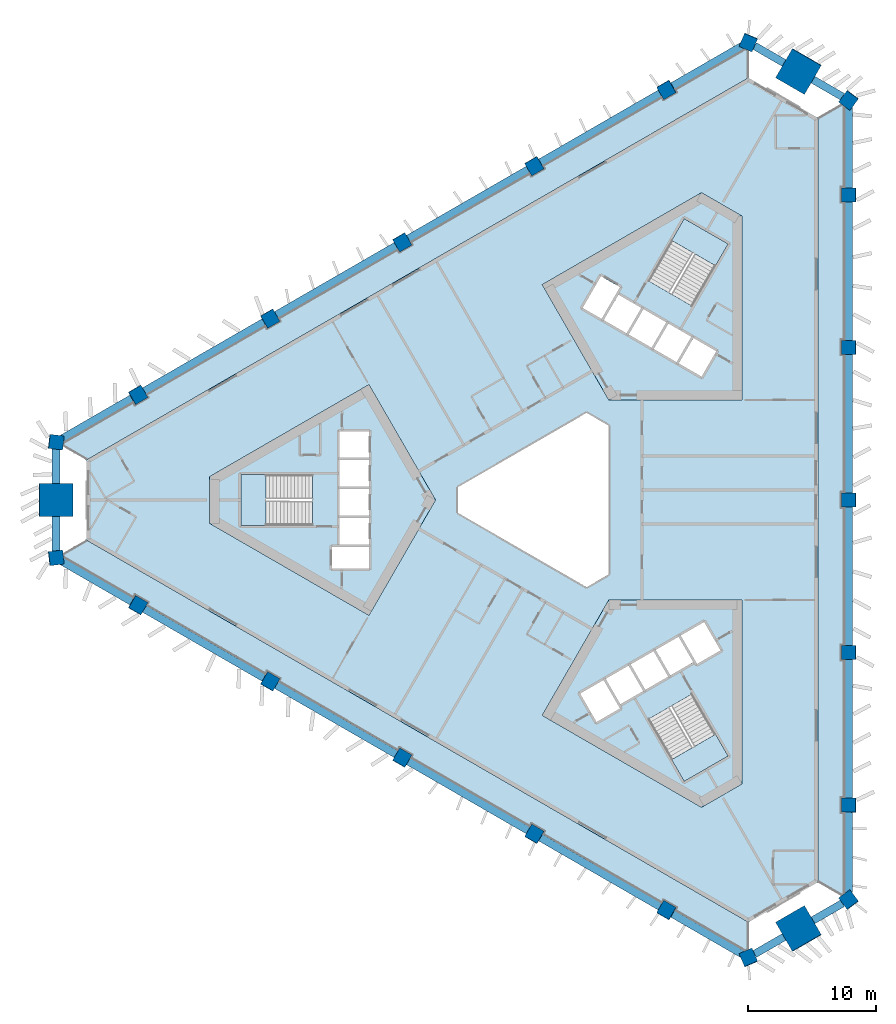
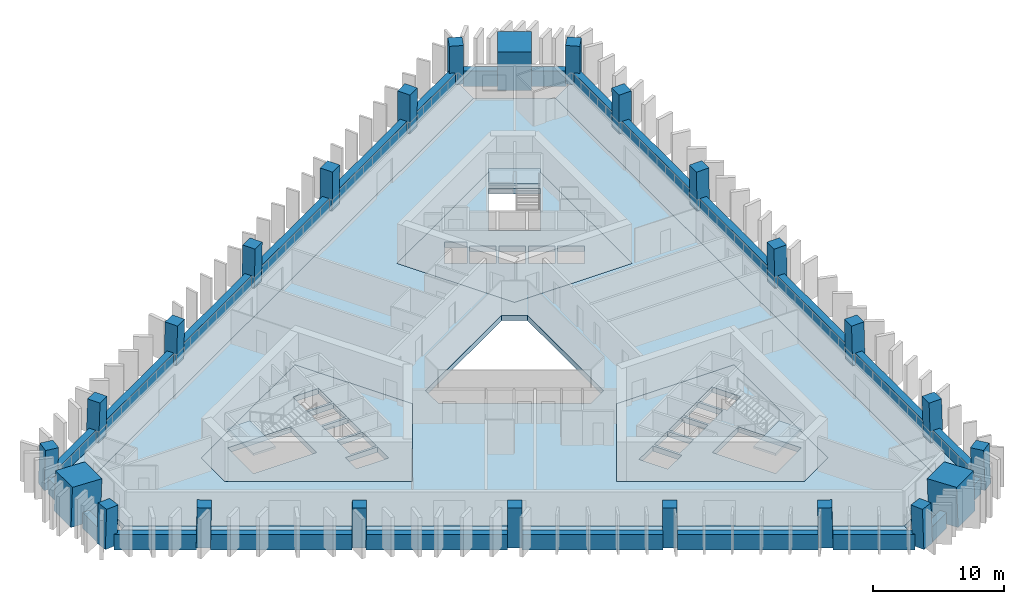
# One storey, part 1 of 10: 24 beams, 24 columns, 10 slabs, 3 elements without a shape of their own.
"""IFC4 building model written with IfcOpenShell, lengths in metres."""

from ifc_helpers import new_model, si_unit, direction, frame, origin, origin_2d, place, context, subcontext, project, spatial, polyline, rectangle, outline, extrude, material, layer, layer_set, material_profile, profile_set, type_object, element, aggregate, save


model = new_model("IFC4")

# Units and contexts
model_context = context("Model", 3, precision=1e-05, world=origin(), true_north=direction((0.0, 1.0)))
body_context = subcontext(model_context, "Body", "Model", "MODEL_VIEW")
ifc_project = project(units=[si_unit("LENGTHUNIT", "METRE"), si_unit("AREAUNIT", "SQUARE_METRE"), si_unit("VOLUMEUNIT", "CUBIC_METRE"), si_unit("PLANEANGLEUNIT", "RADIAN"), si_unit("MASSUNIT", "GRAM", prefix="KILO")], contexts=[model_context])

# Site, building, storey
site_placement = place(None, origin())
site = spatial("IfcSite", under=ifc_project, at=site_placement, CompositionType="ELEMENT")
building_placement = place(site_placement, origin())
building = spatial("IfcBuilding", under=site, at=building_placement, Name="Jabali Bay Hotel Tower and Convention Centre", CompositionType="ELEMENT")
storey_placement = place(building_placement, frame((0.0, 0.0, 72.10009765625)))
storey = spatial("IfcBuildingStorey", under=building, at=storey_placement, Name="L16", CompositionType="ELEMENT", Elevation=72.10009765625)

# Columns
ifc_material_1 = material(Name="Concrete C60", Category="concrete")
ifc_material_profile_1 = material_profile(ifc_material_1, rectangle(XDim=1.10009765625, YDim=1.10009765625, at=origin_2d()), Name="Frame column 1100")
ifc_profile_set_1 = profile_set([ifc_material_profile_1], Name="Concrete C60")
column_type_1 = type_object("IfcColumnType", Name="Frame column 1100", PredefinedType="COLUMN", material=ifc_profile_set_1)
column_1_placement = place(storey_placement, frame((83.995849609375, 111.98291015625, 0.0), z_axis=(-0.008376454378, -0.028163354484, 0.999568237028), x_axis=(0.865853490665, 0.499842344986, 0.021339232902)))
element("IfcColumn", 1, at=column_1_placement, inside=storey, type_object=column_type_1, Name="FC2 F1.1 L16", PredefinedType="COLUMN", context=body_context, shape_type="SweptSolid", body=[
    extrude(rectangle(XDim=1.10009765625, YDim=1.10009765625, at=origin_2d()), origin(), (0.0, 0.0, 1.0), 3.70166015625),
])
column_2_placement = place(storey_placement, frame((73.697998046875, 106.037353515625, 0.0), z_axis=(0.000857578916, -0.022824792675, 0.999739112668), x_axis=(0.866059992904, 0.499826241631, 0.010668498825)))
element("IfcColumn", 2, at=column_2_placement, inside=storey, type_object=column_type_1, Name="FC2 F1.2 L16", PredefinedType="COLUMN", context=body_context, shape_type="SweptSolid", body=[
    extrude(rectangle(XDim=1.10009765625, YDim=1.10009765625, at=origin_2d()), origin(), (0.0, 0.0, 1.0), 3.700927734375),
])
column_3_placement = place(storey_placement, frame((63.39990234375, 100.091796875, 0.0), z_axis=(0.010093620709, -0.017482414954, 0.999796221231), x_axis=(-0.499902890187, 0.86584616669, 0.020187025825)))
element("IfcColumn", 3, at=column_3_placement, inside=storey, type_object=column_type_1, Name="FC2 F1.3 L16", PredefinedType="COLUMN", context=body_context, shape_type="SweptSolid", body=[
    extrude(rectangle(XDim=1.10009765625, YDim=1.10009765625, at=origin_2d()), origin(), (0.0, 0.0, 1.0), 3.70068359375),
])
column_4_placement = place(storey_placement, frame((53.10205078125, 94.146240234375, 0.0), z_axis=(0.019328516974, -0.012138044789, 0.999739504221), x_axis=(-0.500208848309, 0.865669585777, 0.020181088508)))
element("IfcColumn", 4, at=column_4_placement, inside=storey, type_object=column_type_1, Name="FC2 F1.4 L16", PredefinedType="COLUMN", context=body_context, shape_type="SweptSolid", body=[
    extrude(rectangle(XDim=1.10009765625, YDim=1.10009765625, at=origin_2d()), origin(), (0.0, 0.0, 1.0), 3.700927734375),
])
for number, where, z_axis, x_axis, name in (
    (5, (42.803955078125, 88.20068359375, 0.0), (0.02855911485, -0.006793507689, 0.999569019734), (-0.500407643461, 0.865554709988, 0.020180049142), "FC2 F1.5 L16"),
    (6, (42.803955078125, 71.79931640625, 0.0), (0.02855911485, 0.006793507689, 0.999569019734), (-0.865318766308, 0.500768301983, 0.021319953197), "FC2 F2.1 L16"),
):
    element("IfcColumn", number, at=place(storey_placement, frame(where, z_axis=z_axis, x_axis=x_axis)), inside=storey, type_object=column_type_1, Name=name, PredefinedType="COLUMN", context=body_context, shape_type="SweptSolid", body=[
        extrude(rectangle(XDim=1.10009765625, YDim=1.10009765625, at=origin_2d()), origin(), (0.0, 0.0, 1.0), 3.70166015625),
    ])
column_5_placement = place(storey_placement, frame((53.10205078125, 65.853759765625, 0.0), z_axis=(0.019328516974, 0.012138044789, 0.999739504221), x_axis=(-0.865689041461, 0.500468616527, 0.010660551878)))
element("IfcColumn", 7, at=column_5_placement, inside=storey, type_object=column_type_1, Name="FC2 F2.2 L16", PredefinedType="COLUMN", context=body_context, shape_type="SweptSolid", body=[
    extrude(rectangle(XDim=1.10009765625, YDim=1.10009765625, at=origin_2d()), origin(), (0.0, 0.0, 1.0), 3.700927734375),
])
column_6_placement = place(storey_placement, frame((63.39990234375, 59.908203125, 0.0), z_axis=(0.010093620709, 0.017482414954, 0.999796221231), x_axis=(-0.866022643586, 0.500004780773, 1.3036e-08)))
element("IfcColumn", 8, at=column_6_placement, inside=storey, type_object=column_type_1, Name="FC2 F2.3 L16", PredefinedType="COLUMN", context=body_context, shape_type="SweptSolid", body=[
    extrude(rectangle(XDim=1.10009765625, YDim=1.10009765625, at=origin_2d()), origin(), (0.0, 0.0, 1.0), 3.70068359375),
])
column_7_placement = place(storey_placement, frame((73.697998046875, 53.962646484375, 0.0), z_axis=(0.000857578916, 0.022824792675, 0.999739112668), x_axis=(-0.499939349571, -0.865824899744, 0.020196280228)))
element("IfcColumn", 9, at=column_7_placement, inside=storey, type_object=column_type_1, Name="FC2 F2.4 L16", PredefinedType="COLUMN", context=body_context, shape_type="SweptSolid", body=[
    extrude(rectangle(XDim=1.10009765625, YDim=1.10009765625, at=origin_2d()), origin(), (0.0, 0.0, 1.0), 3.700927734375),
])
for number, where, z_axis, x_axis, name in (
    (10, (83.995849609375, 48.01708984375, 0.0), (-0.008376454378, 0.028163354484, 0.999568237028), (-0.500227515951, -0.8656583943, 0.02019843219), "FC2 F2.5 L16"),
    (11, (98.199951171875, 56.2177734375, 0.0), (-0.020182631348, 0.021369844956, 0.999567902205), (-0.001315292007, -0.999771248084, 0.021347634776), "FC2 F0.1 L16"),
):
    element("IfcColumn", number, at=place(storey_placement, frame(where, z_axis=z_axis, x_axis=x_axis)), inside=storey, type_object=column_type_1, Name=name, PredefinedType="COLUMN", context=body_context, shape_type="SweptSolid", body=[
        extrude(rectangle(XDim=1.10009765625, YDim=1.10009765625, at=origin_2d()), origin(), (0.0, 0.0, 1.0), 3.70166015625),
    ])
column_8_placement = place(storey_placement, frame((98.199951171875, 68.10888671875, 0.0), z_axis=(-0.020186088539, 0.010686752756, 0.999739123544), x_axis=(-0.001012906877, -0.999942577175, 0.010668475618)))
element("IfcColumn", 12, at=column_8_placement, inside=storey, type_object=column_type_1, Name="FC2 F0.2 L16", PredefinedType="COLUMN", context=body_context, shape_type="SweptSolid", body=[
    extrude(rectangle(XDim=1.10009765625, YDim=1.10009765625, at=origin_2d()), origin(), (0.0, 0.0, 1.0), 3.700927734375),
])
column_9_placement = place(storey_placement, frame((98.199951171875, 80.0, 0.0), z_axis=(-0.020187241331, 0.0, 0.99979621688), x_axis=(0.0, -1.0, 0.0)))
element("IfcColumn", 13, at=column_9_placement, inside=storey, type_object=column_type_1, Name="FC2 F0.3 L16", PredefinedType="COLUMN", context=body_context, shape_type="SweptSolid", body=[
    extrude(rectangle(XDim=1.10009765625, YDim=1.10009765625, at=origin_2d()), origin(), (0.0, 0.0, 1.0), 3.70068359375),
])
column_10_placement = place(storey_placement, frame((98.199951171875, 91.89111328125, 0.0), z_axis=(-0.020186088539, -0.010686752756, 0.999739123544), x_axis=(0.999795727061, 0.00079728784, 0.020195754082)))
element("IfcColumn", 14, at=column_10_placement, inside=storey, type_object=column_type_1, Name="FC2 F0.4 L16", PredefinedType="COLUMN", context=body_context, shape_type="SweptSolid", body=[
    extrude(rectangle(XDim=1.10009765625, YDim=1.10009765625, at=origin_2d()), origin(), (0.0, 0.0, 1.0), 3.700927734375),
])
column_11_placement = place(storey_placement, frame((98.199951171875, 103.7822265625, 0.0), z_axis=(-0.020182631348, -0.021369844956, 0.999567902205), x_axis=(0.999795444778, 0.000883872229, 0.020206122118)))
element("IfcColumn", 15, at=column_11_placement, inside=storey, type_object=column_type_1, Name="FC2 F0.5 L16", PredefinedType="COLUMN", context=body_context, shape_type="SweptSolid", body=[
    extrude(rectangle(XDim=1.10009765625, YDim=1.10009765625, at=origin_2d()), origin(), (0.0, 0.0, 1.0), 3.70166015625),
])
for number, where, z_axis, x_axis, name in (
    (16, (98.199951171875, 48.837158203125, 0.0), (-0.020178741915, 0.029015184452, 0.999375273581), (-0.802226825985, -0.597018283296, 0.001135376833), "FC2 V0 L16"),
    (17, (98.199951171875, 111.162841796875, 0.0), (-0.020178741915, -0.029015184452, 0.999375273581), (0.596678253371, 0.801702743217, 0.035323837186), "FC2 V1 L16"),
    (18, (90.3876953125, 115.67333984375, 0.0), (-0.015035141917, -0.031982648376, 0.99937533225), (0.918178173668, -0.396166067075, 0.001135208252), "FC2 V2 L16"),
    (19, (36.412109375, 84.510498046875, 0.0), (0.03521388716, -0.002967462401, 0.999375393092), (-0.992633800338, 0.115890481775, 0.035320456685), "FC2 V3 L16"),
    (20, (36.412109375, 75.489501953125, 0.0), (0.03521388716, 0.002967462401, 0.999375393092), (-0.115922907907, 0.993257564985, 0.001135350868), "FC2 V4 L16"),
    (21, (90.3876953125, 44.32666015625, 0.0), (-0.015035141917, 0.031982648376, 0.99937533225), (0.395882287943, -0.917621685392, 0.035322182716), "FC2 V5 L16"),
):
    element("IfcColumn", number, at=place(storey_placement, frame(where, z_axis=z_axis, x_axis=x_axis)), inside=storey, type_object=column_type_1, Name=name, PredefinedType="COLUMN", context=body_context, shape_type="SweptSolid", body=[
        extrude(rectangle(XDim=1.10009765625, YDim=1.10009765625, at=origin_2d()), origin(), (0.0, 0.0, 1.0), 3.7021484375),
    ])
ifc_material_2 = material(Name="Concrete C70", Category="concrete")
ifc_material_profile_2 = material_profile(ifc_material_2, rectangle(XDim=2.60009765625, YDim=2.60009765625, at=origin_2d()), Name="Mega column 2600")
ifc_profile_set_2 = profile_set([ifc_material_profile_2], Name="Concrete C70")
column_type_2 = type_object("IfcColumnType", Name="Mega column 2600", PredefinedType="COLUMN", material=ifc_profile_set_2)
for number, where, z_axis, x_axis, name in (
    (22, (94.2939453125, 113.41796875, 0.0), (-0.017607037296, -0.030466109479, 0.999380712447), (0.500064653071, 0.865272876704, 0.035187946645), "MC2 M1 L16"),
    (23, (36.412109375, 80.0, 0.0), (0.035214042205, 0.0, 0.999379793288), (0.0, 1.0, 0.0), "MC2 M0 L16"),
    (24, (94.2939453125, 46.58203125, 0.0), (-0.017607037296, 0.030466109479, 0.999380712447), (0.500061328599, -0.865274797998, 0.035187946645), "MC2 M2 L16"),
):
    element("IfcColumn", number, at=place(storey_placement, frame(where, z_axis=z_axis, x_axis=x_axis)), inside=storey, type_object=column_type_2, Name=name, PredefinedType="COLUMN", context=body_context, shape_type="SweptSolid", body=[
        extrude(rectangle(XDim=2.60009765625, YDim=2.60009765625, at=origin_2d()), origin(), (0.0, 0.0, 1.0), 3.7021484375),
    ])

# Beams
ifc_material_profile_3 = material_profile(ifc_material_1, rectangle(XDim=0.60009765625, YDim=1.449951171875, at=origin_2d()), Name="Spandrel 600x1450")
ifc_profile_set_3 = profile_set([ifc_material_profile_3], Name="Concrete C60")
beam_type = type_object("IfcBeamType", Name="Spandrel 600x1450", PredefinedType="SPANDREL", material=ifc_profile_set_3)
beam_1_placement = place(storey_placement, frame((93.161376953125, 114.056640625, 0.375), z_axis=(-0.866031171652, 0.499990009627, 0.0), x_axis=(-0.499990009627, -0.866031171652, 0.0)))
element("IfcBeam", 25, at=beam_1_placement, inside=storey, type_object=beam_type, Name="Spandrel M1-V2 L16", PredefinedType="SPANDREL", context=body_context, shape_type="SweptSolid", body=[
    extrude(rectangle(XDim=0.60009765625, YDim=1.449951171875, at=origin_2d()), origin(), (0.0, 0.0, 1.0), 2.6591796875),
])
beam_2_placement = place(storey_placement, frame((89.90576171875, 115.38623046875, 0.375), z_axis=(-0.866025625133, -0.499999616612, 0.0), x_axis=(0.499999616612, -0.866025625133, 0.0)))
element("IfcBeam", 26, at=beam_2_placement, inside=storey, type_object=beam_type, Name="Spandrel V2-F1.1 L16", PredefinedType="SPANDREL", context=body_context, shape_type="SweptSolid", body=[
    extrude(rectangle(XDim=0.60009765625, YDim=1.449951171875, at=origin_2d()), origin(), (0.0, 0.0, 1.0), 6.27783203125),
])
for number, where, z_axis, x_axis, name in (
    (27, (83.516357421875, 111.697265625, 0.375), (-0.866022764553, -0.500004571255, 0.0), (0.500004571255, -0.866022764553, 0.0), "Spandrel F1.1-F1.2 L16"),
    (28, (73.221923828125, 105.75390625, 0.375), (-0.866022764553, -0.500004571255, 0.0), (0.500004571255, -0.866022764553, 0.0), "Spandrel F1.2-F1.3 L16"),
    (29, (62.927490234375, 99.810302734375, 0.375), (-0.866028422699, -0.499994771051, 0.0), (0.499994771051, -0.866028422699, 0.0), "Spandrel F1.3-F1.4 L16"),
    (30, (52.633056640625, 93.86669921875, 0.375), (-0.866028422699, -0.499994771051, 0.0), (0.499994771051, -0.866028422699, 0.0), "Spandrel F1.4-F1.5 L16"),
):
    element("IfcBeam", number, at=place(storey_placement, frame(where, z_axis=z_axis, x_axis=x_axis)), inside=storey, type_object=beam_type, Name=name, PredefinedType="SPANDREL", context=body_context, shape_type="SweptSolid", body=[
        extrude(rectangle(XDim=0.60009765625, YDim=1.449951171875, at=origin_2d()), origin(), (0.0, 0.0, 1.0), 10.787109375),
    ])
beam_3_placement = place(storey_placement, frame((42.33837890625, 87.923095703125, 0.375), z_axis=(-0.866042464518, -0.499970448778, 0.0), x_axis=(0.499970448778, -0.866042464518, 0.0)))
element("IfcBeam", 31, at=beam_3_placement, inside=storey, type_object=beam_type, Name="Spandrel F1.5-V3 L16", PredefinedType="SPANDREL", context=body_context, shape_type="SweptSolid", body=[
    extrude(rectangle(XDim=0.60009765625, YDim=1.449951171875, at=origin_2d()), origin(), (0.0, 0.0, 1.0), 6.27783203125),
])
for number, where, z_axis, x_axis, name in (
    (32, (36.42529296875, 83.959228515625, 0.375), (0.0, -1.0, 0.0), (1.0, 0.0, 0.0), "Spandrel V3-M0 L16"),
    (33, (36.42529296875, 78.699951171875, 0.375), (0.0, -1.0, 0.0), (1.0, 0.0, 0.0), "Spandrel M0-V4 L16"),
):
    element("IfcBeam", number, at=place(storey_placement, frame(where, z_axis=z_axis, x_axis=x_axis)), inside=storey, type_object=beam_type, Name=name, PredefinedType="SPANDREL", context=body_context, shape_type="SweptSolid", body=[
        extrude(rectangle(XDim=0.60009765625, YDim=1.449951171875, at=origin_2d()), origin(), (0.0, 0.0, 1.0), 2.6591796875),
    ])
beam_4_placement = place(storey_placement, frame((36.901611328125, 75.215576171875, 0.375), z_axis=(0.866042464518, -0.499970448778, 0.0), x_axis=(0.499970448778, 0.866042464518, 0.0)))
element("IfcBeam", 34, at=beam_4_placement, inside=storey, type_object=beam_type, Name="Spandrel V4-F2.1 L16", PredefinedType="SPANDREL", context=body_context, shape_type="SweptSolid", body=[
    extrude(rectangle(XDim=0.60009765625, YDim=1.449951171875, at=origin_2d()), origin(), (0.0, 0.0, 1.0), 6.27783203125),
])
for number, where, z_axis, x_axis, name in (
    (35, (43.291015625, 71.52685546875, 0.375), (0.866028422699, -0.499994771051, 0.0), (0.499994771051, 0.866028422699, 0.0), "Spandrel F2.1-F2.2 L16"),
    (36, (53.58544921875, 65.583251953125, 0.375), (0.866028422699, -0.499994771051, 0.0), (0.499994771051, 0.866028422699, 0.0), "Spandrel F2.2-F2.3 L16"),
    (37, (63.880126953125, 59.6396484375, 0.375), (0.866022764553, -0.500004571255, 0.0), (0.500004571255, 0.866022764553, 0.0), "Spandrel F2.3-F2.4 L16"),
    (38, (74.174560546875, 53.6962890625, 0.375), (0.866022764553, -0.500004571255, 0.0), (0.500004571255, 0.866022764553, 0.0), "Spandrel F2.4-F2.5 L16"),
):
    element("IfcBeam", number, at=place(storey_placement, frame(where, z_axis=z_axis, x_axis=x_axis)), inside=storey, type_object=beam_type, Name=name, PredefinedType="SPANDREL", context=body_context, shape_type="SweptSolid", body=[
        extrude(rectangle(XDim=0.60009765625, YDim=1.449951171875, at=origin_2d()), origin(), (0.0, 0.0, 1.0), 10.787109375),
    ])
beam_5_placement = place(storey_placement, frame((84.468994140625, 47.752685546875, 0.375), z_axis=(0.866025625133, -0.499999616612, 0.0), x_axis=(0.499999616612, 0.866025625133, 0.0)))
element("IfcBeam", 39, at=beam_5_placement, inside=storey, type_object=beam_type, Name="Spandrel F2.5-V5 L16", PredefinedType="SPANDREL", context=body_context, shape_type="SweptSolid", body=[
    extrude(rectangle(XDim=0.60009765625, YDim=1.449951171875, at=origin_2d()), origin(), (0.0, 0.0, 1.0), 6.27783203125),
])
for number, where, z_axis, x_axis, name in (
    (40, (90.8583984375, 44.61376953125, 0.375), (0.866031171652, 0.499990009627, 0.0), (-0.499990009627, 0.866031171652, 0.0), "Spandrel V5-M2 L16"),
    (41, (95.4130859375, 47.243408203125, 0.375), (0.866031171652, 0.499990009627, 0.0), (-0.499990009627, 0.866031171652, 0.0), "Spandrel M2-V0 L16"),
):
    element("IfcBeam", number, at=place(storey_placement, frame(where, z_axis=z_axis, x_axis=x_axis)), inside=storey, type_object=beam_type, Name=name, PredefinedType="SPANDREL", context=body_context, shape_type="SweptSolid", body=[
        extrude(rectangle(XDim=0.60009765625, YDim=1.449951171875, at=origin_2d()), origin(), (0.0, 0.0, 1.0), 2.6591796875),
    ])
beam_6_placement = place(storey_placement, frame((98.1923828125, 49.398193359375, 0.375), z_axis=(0.0, 1.0, 0.0), x_axis=(-1.0, 0.0, 0.0)))
element("IfcBeam", 42, at=beam_6_placement, inside=storey, type_object=beam_type, Name="Spandrel V0-F0.1 L16", PredefinedType="SPANDREL", context=body_context, shape_type="SweptSolid", body=[
    extrude(rectangle(XDim=0.60009765625, YDim=1.449951171875, at=origin_2d()), origin(), (0.0, 0.0, 1.0), 6.277587890625),
])
for number, where, z_axis, x_axis, name in (
    (43, (98.1923828125, 56.77587890625, 0.375), (0.0, 1.0, 0.0), (-1.0, 0.0, 0.0), "Spandrel F0.1-F0.2 L16"),
    (44, (98.1923828125, 68.662841796875, 0.375), (0.0, 1.0, 0.0), (-1.0, 0.0, 0.0), "Spandrel F0.2-F0.3 L16"),
    (45, (98.1923828125, 80.550048828125, 0.375), (0.0, 1.0, 0.0), (-1.0, 0.0, 0.0), "Spandrel F0.3-F0.4 L16"),
    (46, (98.1923828125, 92.43701171875, 0.375), (0.0, 1.0, 0.0), (-1.0, 0.0, 0.0), "Spandrel F0.4-F0.5 L16"),
):
    element("IfcBeam", number, at=place(storey_placement, frame(where, z_axis=z_axis, x_axis=x_axis)), inside=storey, type_object=beam_type, Name=name, PredefinedType="SPANDREL", context=body_context, shape_type="SweptSolid", body=[
        extrude(rectangle(XDim=0.60009765625, YDim=1.449951171875, at=origin_2d()), origin(), (0.0, 0.0, 1.0), 10.787109375),
    ])
beam_7_placement = place(storey_placement, frame((98.1923828125, 104.32421875, 0.375), z_axis=(0.0, 1.0, 0.0), x_axis=(-1.0, 0.0, 0.0)))
element("IfcBeam", 47, at=beam_7_placement, inside=storey, type_object=beam_type, Name="Spandrel F0.5-V1 L16", PredefinedType="SPANDREL", context=body_context, shape_type="SweptSolid", body=[
    extrude(rectangle(XDim=0.60009765625, YDim=1.449951171875, at=origin_2d()), origin(), (0.0, 0.0, 1.0), 6.277587890625),
])
beam_8_placement = place(storey_placement, frame((97.716064453125, 111.427001953125, 0.375), z_axis=(-0.866031171652, 0.499990009627, 0.0), x_axis=(-0.499990009627, -0.866031171652, 0.0)))
element("IfcBeam", 48, at=beam_8_placement, inside=storey, type_object=beam_type, Name="Spandrel V1-M1 L16", PredefinedType="SPANDREL", context=body_context, shape_type="SweptSolid", body=[
    extrude(rectangle(XDim=0.60009765625, YDim=1.449951171875, at=origin_2d()), origin(), (0.0, 0.0, 1.0), 2.6591796875),
])

# Slabs
ifc_material_3 = material(Name="Concrete C40", Category="concrete")
ifc_layer_1 = layer(ifc_material_3, 0.5)
ifc_layer_set_1 = layer_set([ifc_layer_1], Name="Concrete C40")
slab_type_1 = type_object("IfcSlabType", Name="Core floor slab 500", PredefinedType="FLOOR", material=ifc_layer_set_1)
slab_1_placement = place(storey_placement, frame((0.0, 0.0, -0.5)))
element("IfcSlab", 49, at=slab_1_placement, inside=storey, type_object=slab_type_1, Name="Core floor slab 1 L16", PredefinedType="FLOOR", context=body_context, shape_type="SweptSolid", body=[
    extrude(outline(polyline([(66.0, 80.0), (60.81005859375, 88.9892578125), (48.39697265625, 81.82275390625), (48.39697265625, 78.17724609375), (60.81005859375, 71.0107421875), (66.0, 80.0)]), holes=[polyline([(60.800048828125, 74.64990234375), (60.800048828125, 76.35009765625), (57.949951171875, 76.35009765625), (57.949951171875, 74.64990234375), (60.800048828125, 74.64990234375)]), polyline([(58.52001953125, 76.550048828125), (60.800048828125, 76.550048828125), (60.800048828125, 78.60009765625), (58.52001953125, 78.60009765625), (58.52001953125, 76.550048828125)]), polyline([(58.52001953125, 78.800048828125), (60.800048828125, 78.800048828125), (60.800048828125, 80.85009765625), (58.52001953125, 80.85009765625), (58.52001953125, 78.800048828125)]), polyline([(56.409912109375, 81.97509765625), (50.820068359375, 81.97509765625), (50.820068359375, 78.02490234375), (56.409912109375, 78.02490234375), (56.409912109375, 81.97509765625)]), polyline([(58.52001953125, 81.050048828125), (60.800048828125, 81.050048828125), (60.800048828125, 83.10009765625), (58.52001953125, 83.10009765625), (58.52001953125, 81.050048828125)]), polyline([(58.52001953125, 83.300048828125), (60.800048828125, 83.300048828125), (60.800048828125, 85.35009765625), (58.52001953125, 85.35009765625), (58.52001953125, 83.300048828125)])]), origin(), (0.0, 0.0, 1.0), 0.5),
])
slab_2_placement = place(storey_placement, frame((0.0, 0.0, -0.5)))
element("IfcSlab", 50, at=slab_2_placement, inside=storey, type_object=slab_type_1, Name="Core floor slab 2 L16", PredefinedType="FLOOR", context=body_context, shape_type="SweptSolid", body=[
    extrude(outline(polyline([(79.5, 87.794189453125), (89.8798828125, 87.794189453125), (89.8798828125, 102.127685546875), (86.72314453125, 103.9501953125), (74.31005859375, 96.78369140625), (79.5, 87.794189453125)]), holes=[polyline([(84.957763671875, 90.6474609375), (86.733154296875, 89.62255859375), (87.873291015625, 91.59716796875), (86.097900390625, 92.6220703125), (84.957763671875, 90.6474609375)]), polyline([(84.1494140625, 93.7470703125), (83.00927734375, 91.7724609375), (84.78466796875, 90.74755859375), (85.924560546875, 92.72216796875), (84.1494140625, 93.7470703125)]), polyline([(82.20068359375, 94.8720703125), (81.060791015625, 92.8974609375), (82.836181640625, 91.87255859375), (83.97607421875, 93.84716796875), (82.20068359375, 94.8720703125)]), polyline([(79.1123046875, 94.0224609375), (80.887451171875, 92.99755859375), (82.027587890625, 94.97216796875), (80.252197265625, 95.9970703125), (79.1123046875, 94.0224609375)]), polyline([(78.891845703125, 97.440673828125), (77.466796875, 94.97265625), (78.93896484375, 94.12255859375), (80.364013671875, 96.5908203125), (78.891845703125, 97.440673828125)]), polyline([(82.584716796875, 97.0869140625), (86.00537109375, 95.11181640625), (88.80029296875, 99.952880859375), (85.379638671875, 101.927978515625), (82.584716796875, 97.0869140625)])]), origin(), (0.0, 0.0, 1.0), 0.5),
])
slab_3_placement = place(storey_placement, frame((0.0, 0.0, -0.5)))
element("IfcSlab", 51, at=slab_3_placement, inside=storey, type_object=slab_type_1, Name="Core floor slab 3 L16", PredefinedType="FLOOR", context=body_context, shape_type="SweptSolid", body=[
    extrude(outline(polyline([(79.5, 72.205810546875), (74.31005859375, 63.21630859375), (86.72314453125, 56.0498046875), (89.8798828125, 57.872314453125), (89.8798828125, 72.205810546875), (79.5, 72.205810546875)]), holes=[polyline([(82.584716796875, 62.9130859375), (85.379638671875, 58.072021484375), (88.80029296875, 60.047119140625), (86.00537109375, 64.88818359375), (82.584716796875, 62.9130859375)]), polyline([(80.365478515625, 63.756591796875), (79.090576171875, 65.96484375), (77.27197265625, 64.9150390625), (78.546875, 62.70654296875), (80.365478515625, 63.756591796875)]), polyline([(82.17919921875, 65.115478515625), (81.0390625, 67.08984375), (79.263671875, 66.06494140625), (80.40380859375, 64.09033203125), (82.17919921875, 65.115478515625)]), polyline([(82.98779296875, 68.21484375), (81.21240234375, 67.18994140625), (82.352294921875, 65.21533203125), (84.127685546875, 66.240478515625), (82.98779296875, 68.21484375)]), polyline([(86.076171875, 67.365478515625), (84.936279296875, 69.33984375), (83.160888671875, 68.31494140625), (84.30078125, 66.34033203125), (86.076171875, 67.365478515625)]), polyline([(88.203125, 68.281494140625), (86.927978515625, 70.489990234375), (85.109375, 69.43994140625), (86.384521484375, 67.231689453125), (88.203125, 68.281494140625)])]), origin(), (0.0, 0.0, 1.0), 0.5),
])
ifc_layer_2 = layer(ifc_material_3, 0.199951171875)
ifc_layer_set_2 = layer_set([ifc_layer_2], Name="Concrete C40")
slab_type_2 = type_object("IfcSlabType", Name="Loggia slab 200", PredefinedType="FLOOR", material=ifc_layer_set_2)
slab_4_placement = place(storey_placement, frame((0.0, 0.0, -0.2001953125)))
element("IfcSlab", 52, at=slab_4_placement, inside=storey, type_object=slab_type_2, Name="Loggia slab east face L16", PredefinedType="FLOOR", context=body_context, shape_type="SweptSolid", body=[
    extrude(outline(polyline([(95.800048828125, 109.777099609375), (97.681396484375, 110.86328125), (97.900146484375, 110.700439453125), (97.900146484375, 104.33203125), (97.650146484375, 104.33203125), (97.650146484375, 103.232177734375), (97.900146484375, 103.232177734375), (97.900146484375, 92.441162109375), (97.650146484375, 92.441162109375), (97.650146484375, 91.341064453125), (97.900146484375, 91.341064453125), (97.900146484375, 80.550048828125), (97.650146484375, 80.550048828125), (97.650146484375, 79.449951171875), (97.900146484375, 79.449951171875), (97.900146484375, 68.658935546875), (97.650146484375, 68.658935546875), (97.650146484375, 67.558837890625), (97.900146484375, 67.558837890625), (97.900146484375, 56.767822265625), (97.650146484375, 56.767822265625), (97.650146484375, 55.66796875), (97.900146484375, 55.66796875), (97.900146484375, 49.299560546875), (97.681396484375, 49.13671875), (95.800048828125, 50.222900390625), (95.800048828125, 109.777099609375)])), origin(), (0.0, 0.0, 1.0), 0.2001953125),
])
slab_5_placement = place(storey_placement, frame((0.0, 0.0, -0.2001953125)))
element("IfcSlab", 53, at=slab_5_placement, inside=storey, type_object=slab_type_2, Name="Loggia slab north-west face L16", PredefinedType="FLOOR", context=body_context, shape_type="SweptSolid", body=[
    extrude(outline(polyline([(38.812255859375, 83.124755859375), (36.930908203125, 84.2109375), (36.962646484375, 84.481689453125), (42.477783203125, 87.666015625), (42.602783203125, 87.449462890625), (43.555419921875, 87.99951171875), (43.430419921875, 88.216064453125), (52.775634765625, 93.611572265625), (52.900634765625, 93.39501953125), (53.853271484375, 93.945068359375), (53.728271484375, 94.161376953125), (63.07373046875, 99.55712890625), (63.19873046875, 99.340576171875), (64.1513671875, 99.890625), (64.0263671875, 100.10693359375), (73.37158203125, 105.50244140625), (73.49658203125, 105.2861328125), (74.44921875, 105.8359375), (74.32421875, 106.052490234375), (83.669677734375, 111.447998046875), (83.794677734375, 111.231689453125), (84.747314453125, 111.781494140625), (84.622314453125, 111.998046875), (90.137451171875, 115.18212890625), (90.3876953125, 115.07421875), (90.3876953125, 112.90185546875), (38.812255859375, 83.124755859375)])), origin(), (0.0, 0.0, 1.0), 0.2001953125),
])
slab_6_placement = place(storey_placement, frame((0.0, 0.0, -0.2001953125)))
element("IfcSlab", 54, at=slab_6_placement, inside=storey, type_object=slab_type_2, Name="Loggia slab south-west face L16", PredefinedType="FLOOR", context=body_context, shape_type="SweptSolid", body=[
    extrude(outline(polyline([(90.3876953125, 47.09814453125), (90.3876953125, 44.92578125), (90.137451171875, 44.81787109375), (84.622314453125, 48.001953125), (84.747314453125, 48.218505859375), (83.794677734375, 48.768310546875), (83.669677734375, 48.552001953125), (74.32421875, 53.947509765625), (74.44921875, 54.1640625), (73.49658203125, 54.7138671875), (73.37158203125, 54.49755859375), (64.0263671875, 59.89306640625), (64.1513671875, 60.109375), (63.19873046875, 60.659423828125), (63.07373046875, 60.44287109375), (53.728271484375, 65.838623046875), (53.853271484375, 66.054931640625), (52.900634765625, 66.60498046875), (52.775634765625, 66.388427734375), (43.430419921875, 71.783935546875), (43.555419921875, 72.00048828125), (42.602783203125, 72.550537109375), (42.477783203125, 72.333984375), (36.962646484375, 75.518310546875), (36.930908203125, 75.7890625), (38.812255859375, 76.875244140625), (90.3876953125, 47.09814453125)])), origin(), (0.0, 0.0, 1.0), 0.2001953125),
])
ifc_layer_3 = layer(ifc_material_3, 0.5)
ifc_layer_set_3 = layer_set([ifc_layer_3], Name="Concrete C40")
slab_type_3 = type_object("IfcSlabType", Name="Post-tensioned flat slab 500", PredefinedType="FLOOR", material=ifc_layer_set_3)
slab_7_placement = place(storey_placement, frame((0.0, 0.0, -0.5)))
element("IfcSlab", 55, at=slab_7_placement, inside=storey, type_object=slab_type_3, Name="Floor slab L16", PredefinedType="FLOOR", context=body_context, shape_type="SweptSolid", body=[
    extrude(outline(polyline([(90.3876953125, 112.90185546875), (95.800048828125, 109.777099609375), (95.800048828125, 50.222900390625), (90.3876953125, 47.09814453125), (38.812255859375, 76.875244140625), (38.812255859375, 83.124755859375), (90.3876953125, 112.90185546875)]), holes=[polyline([(67.73193359375, 79.0), (77.76806640625, 73.205810546875), (79.5, 74.205810546875), (79.5, 85.794189453125), (77.76806640625, 86.794189453125), (67.73193359375, 81.0), (67.73193359375, 79.0)]), polyline([(48.39697265625, 78.17724609375), (60.81005859375, 71.0107421875), (66.0, 80.0), (60.81005859375, 88.9892578125), (48.39697265625, 81.82275390625), (48.39697265625, 78.17724609375)]), polyline([(89.8798828125, 102.127685546875), (86.72314453125, 103.9501953125), (74.31005859375, 96.78369140625), (79.5, 87.794189453125), (89.8798828125, 87.794189453125), (89.8798828125, 102.127685546875)]), polyline([(74.31005859375, 63.21630859375), (86.72314453125, 56.0498046875), (89.8798828125, 57.872314453125), (89.8798828125, 72.205810546875), (79.5, 72.205810546875), (74.31005859375, 63.21630859375)])]), origin(), (0.0, 0.0, 1.0), 0.5),
])

# Stair, slab
stair_type = type_object("IfcStairType", Name="Exit stair 1900", PredefinedType="HALF_TURN_STAIR", material=ifc_material_3)
stair_1_placement = place(storey_placement, origin())
stair_1 = element("IfcStair", 56, at=stair_1_placement, inside=storey, type_object=stair_type, Name="L16 Exit Stair 1", PredefinedType="HALF_TURN_STAIR")
ifc_layer_4 = layer(ifc_material_3, 0.199951171875)
ifc_layer_set_4 = layer_set([ifc_layer_4], Name="Concrete C40")
slab_type_4 = type_object("IfcSlabType", Name="Stair landing 200", PredefinedType="LANDING", material=ifc_layer_set_4)
slab_8_placement = place(storey_placement, frame((0.0, 0.0, 1.64990234375)))
slab_8 = element("IfcSlab", 57, at=slab_8_placement, type_object=slab_type_4, Name="ST1 landing 1", PredefinedType="LANDING", context=body_context, shape_type="SweptSolid", body=[
    extrude(outline(polyline([(52.782958984375, 81.97509765625), (50.820068359375, 81.97509765625), (50.820068359375, 78.02490234375), (52.782958984375, 78.02490234375), (52.782958984375, 81.97509765625)])), origin(), (0.0, 0.0, 1.0), 0.199951171875),
])
aggregate(stair_1, [slab_8])

stair_2_placement = place(storey_placement, origin())
stair_2 = element("IfcStair", 58, at=stair_2_placement, inside=storey, type_object=stair_type, Name="L16 Exit Stair 2", PredefinedType="HALF_TURN_STAIR")
slab_9_placement = place(storey_placement, frame((0.0, 0.0, 1.64990234375)))
slab_9 = element("IfcSlab", 59, at=slab_9_placement, type_object=slab_type_4, Name="ST2 landing 1", PredefinedType="LANDING", context=body_context, shape_type="SweptSolid", body=[
    extrude(outline(polyline([(87.81884765625, 98.2529296875), (88.80029296875, 99.952880859375), (85.379638671875, 101.927978515625), (84.398193359375, 100.22802734375), (87.81884765625, 98.2529296875)])), origin(), (0.0, 0.0, 1.0), 0.199951171875),
])
aggregate(stair_2, [slab_9])

stair_3_placement = place(storey_placement, origin())
stair_3 = element("IfcStair", 60, at=stair_3_placement, inside=storey, type_object=stair_type, Name="L16 Exit Stair 3", PredefinedType="HALF_TURN_STAIR")
slab_10_placement = place(storey_placement, frame((0.0, 0.0, 1.64990234375)))
slab_10 = element("IfcSlab", 61, at=slab_10_placement, type_object=slab_type_4, Name="ST3 landing 1", PredefinedType="LANDING", context=body_context, shape_type="SweptSolid", body=[
    extrude(outline(polyline([(84.398193359375, 59.77197265625), (85.379638671875, 58.072021484375), (88.80029296875, 60.047119140625), (87.81884765625, 61.7470703125), (84.398193359375, 59.77197265625)])), origin(), (0.0, 0.0, 1.0), 0.199951171875),
])
aggregate(stair_3, [slab_10])

save(model, "model.ifc")
